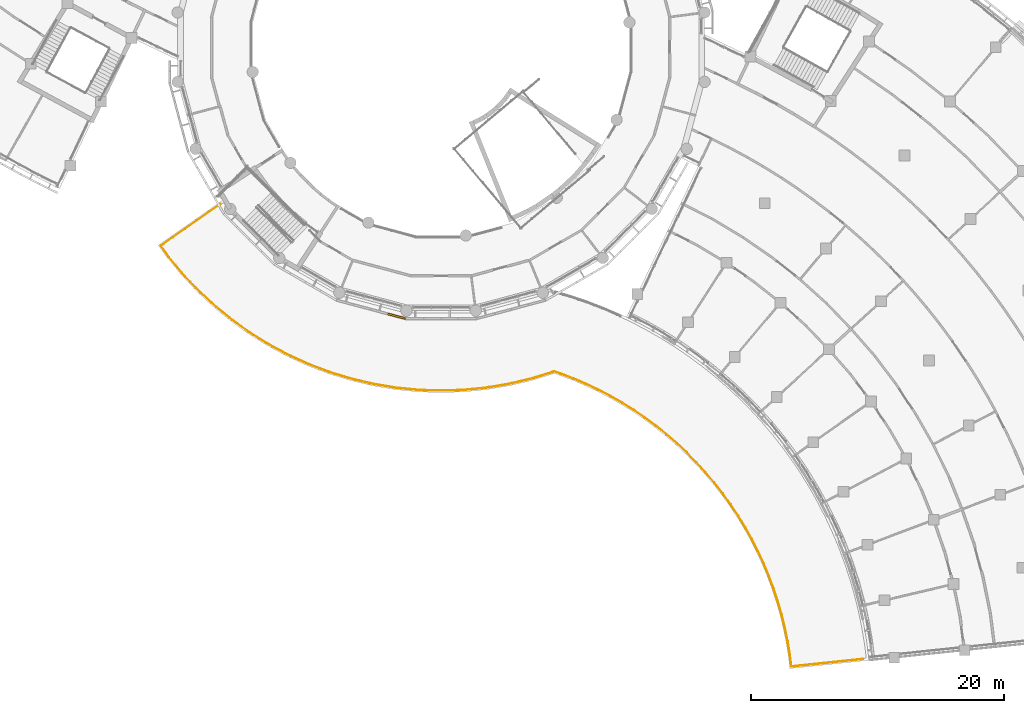
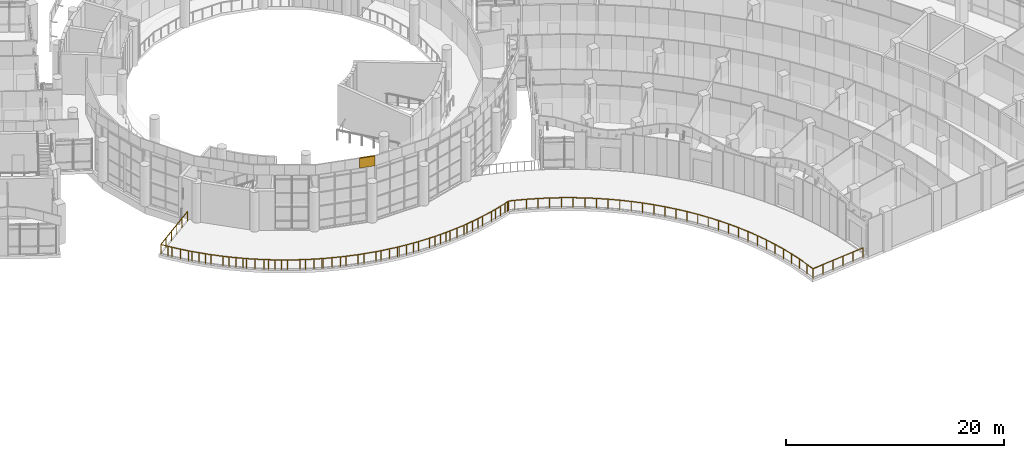
# One storey, part 114 of 136: 1 covering, 1 railing.
"""IFC4 building model written with IfcOpenShell, lengths in metres."""

from ifc_helpers import new_model, si_unit, direction, frame, origin, origin_2d, place, context, subcontext, project, spatial, polyline, circle, outline, extrude, material, layer, layer_set, type_object, element, save


model = new_model("IFC4")

# Units and contexts
model_context = context("Model", 3, precision=1e-05, world=origin(), true_north=direction((0.0, 1.0)))
body_context = subcontext(model_context, "Body", "Model", "MODEL_VIEW")
ifc_project = project(units=[si_unit("LENGTHUNIT", "METRE"), si_unit("AREAUNIT", "SQUARE_METRE"), si_unit("VOLUMEUNIT", "CUBIC_METRE"), si_unit("PLANEANGLEUNIT", "RADIAN"), si_unit("MASSUNIT", "GRAM", prefix="KILO")], contexts=[model_context])

# Site, building, storey
site_placement = place(None, origin())
site = spatial("IfcSite", under=ifc_project, at=site_placement, CompositionType="ELEMENT")
building_placement = place(site_placement, origin())
building = spatial("IfcBuilding", under=site, at=building_placement, Name="Bougainvillea Quay General Hospital", CompositionType="ELEMENT")
storey_placement = place(building_placement, frame((0.0, 0.0, 5.39990234375)))
storey = spatial("IfcBuildingStorey", under=building, at=storey_placement, Name="L01", CompositionType="ELEMENT", Elevation=5.39990234375)

# Covering
ifc_material_1 = material(Name="Powder-coated aluminium fascia, white", Category="aluminium")
ifc_layer = layer(ifc_material_1, 0.14990234375)
ifc_layer_set = layer_set([ifc_layer], Name="Powder-coated aluminium fascia, white")
covering_type = type_object("IfcCoveringType", Name="Aluminium fascia band white 150x1100", PredefinedType="CLADDING", material=ifc_layer_set)
covering_placement = place(storey_placement, frame((104.992919921875, 53.00341796875, 6.650146484375), z_axis=(0.0, 0.0, 1.0), x_axis=(0.965902723626, -0.258905250026, 0.0)))
element("IfcCovering", 1, at=covering_placement, inside=storey, type_object=covering_type, Name="Fascia band white e0 22", PredefinedType="CLADDING", context=body_context, shape_type="SweptSolid", body=[
    extrude(outline(polyline([(0.0, 0.0), (1.4427484812010494, 1.1102230246251565e-16), (1.4626936974182987, -0.14984782527068197), (-1.1650339643856644e-05, -0.14988922115835274), (0.0, 0.0)])), origin(), (0.0, 0.0, 1.0), 1.10009765625),
])

# Railing
ifc_material_2 = material(Name="Stainless steel guard, brushed grade 316", Category="steel")
railing_type = type_object("IfcRailingType", Name="Stainless steel guard 1100", PredefinedType="GUARDRAIL", material=ifc_material_2)
railing_placement = place(storey_placement, frame((142.548095703125, 25.656005859375, 0.0)))
element("IfcRailing", 2, at=railing_placement, inside=storey, type_object=railing_type, Name="Guard G01", PredefinedType="GUARDRAIL", context=body_context, shape_type="SweptSolid", body=[
    extrude(circle(Radius=0.02392578125, at=origin_2d()), frame((0.0, 0.0, 1.076171875), z_axis=(-0.994520227631, -0.104544329514, 0.0), x_axis=(0.104544329514, -0.994520227631, 0.0)), (0.0, 0.0, 1.0), 5.700439453125),
    extrude(circle(Radius=0.02392578125, at=origin_2d()), frame((-5.669189453125, -0.595947265625, 1.076171875), z_axis=(-0.12442488633, 0.992229029842, 0.0), x_axis=(-0.992229029842, -0.12442488633, 0.0)), (0.0, 0.0, 1.0), 0.924072265625),
    extrude(circle(Radius=0.02392578125, at=origin_2d()), frame((-5.7841796875, 0.321044921875, 1.076171875), z_axis=(-0.160933083032, 0.986965319951, 0.0), x_axis=(-0.986965319951, -0.160933083032, 0.0)), (0.0, 0.0, 1.0), 1.073974609375),
    extrude(circle(Radius=0.02392578125, at=origin_2d()), frame((-5.95703125, 1.381103515625, 1.076171875), z_axis=(-0.200133585413, 0.979768619619, 0.0), x_axis=(-0.979768619619, -0.200133585413, 0.0)), (0.0, 0.0, 1.0), 1.07470703125),
    extrude(circle(Radius=0.02392578125, at=origin_2d()), frame((-6.172119140625, 2.43408203125, 1.076171875), z_axis=(-0.237186297436, 0.97146418375, 0.0), x_axis=(-0.97146418375, -0.237186297436, 0.0)), (0.0, 0.0, 1.0), 1.07470703125),
    extrude(circle(Radius=0.02392578125, at=origin_2d()), frame((-6.427001953125, 3.47802734375, 1.076171875), z_axis=(-0.275591226761, 0.961274922034, 0.0), x_axis=(-0.961274922034, -0.275591226761, 0.0)), (0.0, 0.0, 1.0), 1.074462890625),
    extrude(circle(Radius=0.02392578125, at=origin_2d()), frame((-6.72314453125, 4.510986328125, 1.076171875), z_axis=(-0.31090469074, 0.950441094059, 0.0), x_axis=(-0.950441094059, -0.31090469074, 0.0)), (0.0, 0.0, 1.0), 1.07421875),
    extrude(circle(Radius=0.02392578125, at=origin_2d()), frame((-7.05712890625, 5.531982421875, 1.076171875), z_axis=(-0.348158000026, 0.937435868216, 0.0), x_axis=(-0.937435868216, -0.348158000026, 0.0)), (0.0, 0.0, 1.0), 1.07421875),
    extrude(circle(Radius=0.02392578125, at=origin_2d()), frame((-7.43115234375, 6.5390625, 1.076171875), z_axis=(-0.384244257635, 0.923231471774, 0.0), x_axis=(-0.923231471774, -0.384244257635, 0.0)), (0.0, 0.0, 1.0), 1.074462890625),
    extrude(circle(Radius=0.02392578125, at=origin_2d()), frame((-7.843994140625, 7.531005859375, 1.076171875), z_axis=(-0.418827710115, 0.908065718569, 0.0), x_axis=(-0.908065718569, -0.418827710115, 0.0)), (0.0, 0.0, 1.0), 1.074951171875),
    extrude(circle(Radius=0.02392578125, at=origin_2d()), frame((-8.294189453125, 8.507080078125, 1.076171875), z_axis=(-0.454109627425, 0.890945815569, 0.0), x_axis=(-0.890945815569, -0.454109627425, 0.0)), (0.0, 0.0, 1.0), 1.07421875),
    extrude(circle(Radius=0.02392578125, at=origin_2d()), frame((-8.781982421875, 9.464111328125, 1.076171875), z_axis=(-0.487821357665, 0.872943482137, 0.0), x_axis=(-0.872943482137, -0.487821357665, 0.0)), (0.0, 0.0, 1.0), 1.074462890625),
    extrude(circle(Radius=0.02392578125, at=origin_2d()), frame((-9.30615234375, 10.402099609375, 1.076171875), z_axis=(-0.521229415532, 0.853416601891, 0.0), x_axis=(-0.853416601891, -0.521229415532, 0.0)), (0.0, 0.0, 1.0), 1.074462890625),
    extrude(circle(Radius=0.02392578125, at=origin_2d()), frame((-9.8662109375, 11.319091796875, 1.076171875), z_axis=(-0.554752640777, 0.832015328916, 0.0), x_axis=(-0.832015328916, -0.554752640777, 0.0)), (0.0, 0.0, 1.0), 1.07421875),
    extrude(circle(Radius=0.02392578125, at=origin_2d()), frame((-10.462158203125, 12.212890625, 1.076171875), z_axis=(-0.58475982523, 0.811206476057, 0.0), x_axis=(-0.811206476057, -0.58475982523, 0.0)), (0.0, 0.0, 1.0), 1.07373046875),
    extrude(circle(Radius=0.02392578125, at=origin_2d()), frame((-11.090087890625, 13.083984375, 1.076171875), z_axis=(-0.616908282278, 0.787035050844, 0.0), x_axis=(-0.787035050844, -0.616908282278, 0.0)), (0.0, 0.0, 1.0), 1.074951171875),
    extrude(circle(Radius=0.02392578125, at=origin_2d()), frame((-11.753173828125, 13.929931640625, 1.076171875), z_axis=(-0.645911676563, 0.76341214693, 0.0), x_axis=(-0.76341214693, -0.645911676563, 0.0)), (0.0, 0.0, 1.0), 1.07421875),
    extrude(circle(Radius=0.02392578125, at=origin_2d()), frame((-12.447021484375, 14.75, 1.076171875), z_axis=(-0.6752714886, 0.737569262296, 0.0), x_axis=(-0.737569262296, -0.6752714886, 0.0)), (0.0, 0.0, 1.0), 1.07373046875),
    extrude(circle(Radius=0.02392578125, at=origin_2d()), frame((-13.172119140625, 15.5419921875, 1.076171875), z_axis=(-0.702894196386, 0.711294417725, 0.0), x_axis=(-0.711294417725, -0.702894196386, 0.0)), (0.0, 0.0, 1.0), 1.075439453125),
    extrude(circle(Radius=0.02392578125, at=origin_2d()), frame((-13.927978515625, 16.306884765625, 1.076171875), z_axis=(-0.730896538171, 0.682488278646, 0.0), x_axis=(-0.682488278646, -0.730896538171, 0.0)), (0.0, 0.0, 1.0), 1.07421875),
    extrude(circle(Radius=0.02392578125, at=origin_2d()), frame((-14.713134765625, 17.0400390625, 1.076171875), z_axis=(-0.755636607362, 0.654991082088, 0.0), x_axis=(-0.654991082088, -0.755636607362, 0.0)), (0.0, 0.0, 1.0), 1.07470703125),
    extrude(circle(Radius=0.02392578125, at=origin_2d()), frame((-15.525146484375, 17.743896484375, 1.076171875), z_axis=(-0.780047686707, 0.625720070369, 0.0), x_axis=(-0.625720070369, -0.780047686707, 0.0)), (0.0, 0.0, 1.0), 1.07421875),
    extrude(circle(Radius=0.02392578125, at=origin_2d()), frame((-16.363037109375, 18.416015625, 1.076171875), z_axis=(-0.804478387036, 0.593981922951, 0.0), x_axis=(-0.593981922951, -0.804478387036, 0.0)), (0.0, 0.0, 1.0), 1.073974609375),
    extrude(circle(Radius=0.02392578125, at=origin_2d()), frame((-17.22705078125, 19.053955078125, 1.076171875), z_axis=(-0.826352130863, 0.563153758594, 0.0), x_axis=(-0.563153758594, -0.826352130863, 0.0)), (0.0, 0.0, 1.0), 1.075927734375),
    extrude(circle(Radius=0.02392578125, at=origin_2d()), frame((-18.1162109375, 19.659912109375, 1.076171875), z_axis=(-0.847422983288, 0.530918343434, 0.0), x_axis=(-0.530918343434, -0.847422983288, 0.0)), (0.0, 0.0, 1.0), 1.07373046875),
    extrude(circle(Radius=0.02392578125, at=origin_2d()), frame((-19.026123046875, 20.22998046875, 1.076171875), z_axis=(-0.867669023689, 0.497142298875, 0.0), x_axis=(-0.497142298875, -0.867669023689, 0.0)), (0.0, 0.0, 1.0), 1.073974609375),
    extrude(circle(Radius=0.02392578125, at=origin_2d()), frame((-19.9580078125, 20.763916015625, 1.076171875), z_axis=(-0.886098212809, 0.4634975267, 0.0), x_axis=(-0.4634975267, -0.886098212809, 0.0)), (0.0, 0.0, 1.0), 1.074462890625),
    extrude(circle(Radius=0.02392578125, at=origin_2d()), frame((-20.91015625, 21.261962890625, 1.076171875), z_axis=(-0.902852117655, 0.429951222402, 0.0), x_axis=(-0.429951222402, -0.902852117655, 0.0)), (0.0, 0.0, 1.0), 1.07421875),
    extrude(circle(Radius=0.02392578125, at=origin_2d()), frame((-21.880126953125, 21.723876953125, 1.076171875), z_axis=(-0.91926247878, 0.393645138554, 0.0), x_axis=(-0.393645138554, -0.91926247878, 0.0)), (0.0, 0.0, 1.0), 1.07470703125),
    extrude(circle(Radius=0.02392578125, at=origin_2d()), frame((-22.8681640625, 22.14697265625, 1.076171875), z_axis=(-0.933573846179, 0.358385091389, 0.0), x_axis=(-0.358385091389, -0.933573846179, 0.0)), (0.0, 0.0, 1.0), 1.07421875),
    extrude(circle(Radius=0.02392578125, at=origin_2d()), frame((-23.87109375, 22.531982421875, 1.076171875), z_axis=(-0.946688931646, 0.322149137357, 0.0), x_axis=(-0.322149137357, -0.946688931646, 0.0)), (0.0, 0.0, 1.0), 0.568359375),
    extrude(circle(Radius=0.02392578125, at=origin_2d()), frame((-24.4091796875, 22.715087890625, 1.076171875), z_axis=(-0.935909795907, -0.352239767666, 0.0), x_axis=(0.352239767666, -0.935909795907, 0.0)), (0.0, 0.0, 1.0), 0.167724609375),
    extrude(circle(Radius=0.02392578125, at=origin_2d()), frame((-24.566162109375, 22.656005859375, 1.076171875), z_axis=(-0.95297539304, -0.303047686446, 0.0), x_axis=(0.303047686446, -0.95297539304, 0.0)), (0.0, 0.0, 1.0), 0.322998046875),
    extrude(circle(Radius=0.02392578125, at=origin_2d()), frame((-24.8740234375, 22.55810546875, 1.076171875), z_axis=(-0.956902907315, -0.290408033588, 0.0), x_axis=(0.290408033588, -0.956902907315, 0.0)), (0.0, 0.0, 1.0), 1.30224609375),
    extrude(circle(Radius=0.02392578125, at=origin_2d()), frame((-26.1201171875, 22.179931640625, 1.076171875), z_axis=(-0.96812402606, -0.250471296092, 0.0), x_axis=(0.250471296092, -0.96812402606, 0.0)), (0.0, 0.0, 1.0), 0.53515625),
    extrude(circle(Radius=0.02392578125, at=origin_2d()), frame((-26.63818359375, 22.0458984375, 1.076171875), z_axis=(-0.973903473343, -0.226962606196, 0.0), x_axis=(0.226962606196, -0.973903473343, 0.0)), (0.0, 0.0, 1.0), 1.12744140625),
    extrude(circle(Radius=0.02392578125, at=origin_2d()), frame((-27.736083984375, 21.7900390625, 1.076171875), z_axis=(-0.979157712034, -0.203101390849, 0.0), x_axis=(0.203101390849, -0.979157712034, 0.0)), (0.0, 0.0, 1.0), 0.537353515625),
    extrude(circle(Radius=0.02392578125, at=origin_2d()), frame((-28.26220703125, 21.680908203125, 1.076171875), z_axis=(-0.986668712024, -0.162741674787, 0.0), x_axis=(0.162741674787, -0.986668712024, 0.0)), (0.0, 0.0, 1.0), 1.2900390625),
    extrude(circle(Radius=0.02392578125, at=origin_2d()), frame((-29.53515625, 21.470947265625, 1.076171875), z_axis=(-0.988396889705, -0.15189334555, 0.0), x_axis=(0.15189334555, -0.988396889705, 0.0)), (0.0, 0.0, 1.0), 0.3359375),
    extrude(circle(Radius=0.02392578125, at=origin_2d()), frame((-29.8671875, 21.419921875, 1.076171875), z_axis=(-0.995209228549, -0.097768049024, 0.0), x_axis=(0.097768049024, -0.995209228549, 0.0)), (0.0, 0.0, 1.0), 1.61572265625),
    extrude(circle(Radius=0.02392578125, at=origin_2d()), frame((-31.47509765625, 21.261962890625, 1.076171875), z_axis=(-0.998854899186, -0.047842349143, 0.0), x_axis=(0.047842349143, -0.998854899186, 0.0)), (0.0, 0.0, 1.0), 0.41845703125),
    extrude(circle(Radius=0.02392578125, at=origin_2d()), frame((-31.89306640625, 21.241943359375, 1.076171875), z_axis=(-0.999454695844, -0.033019856994, 0.0), x_axis=(0.033019856994, -0.999454695844, 0.0)), (0.0, 0.0, 1.0), 1.212646484375),
    extrude(circle(Radius=0.02392578125, at=origin_2d()), frame((-33.10498046875, 21.201904296875, 1.076171875), z_axis=(-0.999991935711, 0.00401603187, 0.0), x_axis=(-0.00401603187, -0.999991935711, 0.0)), (0.0, 0.0, 1.0), 0.547119140625),
    extrude(circle(Radius=0.02392578125, at=origin_2d()), frame((-33.652099609375, 21.2041015625, 1.076171875), z_axis=(-0.999471121245, 0.032518883712, 0.0), x_axis=(-0.032518883712, -0.999471121245, 0.0)), (0.0, 0.0, 1.0), 1.133544921875),
    extrude(circle(Radius=0.02392578125, at=origin_2d()), frame((-34.78515625, 21.240966796875, 1.076171875), z_axis=(-0.998417902165, 0.0562289306, 0.0), x_axis=(-0.0562289306, -0.998417902165, 0.0)), (0.0, 0.0, 1.0), 0.5166015625),
    extrude(circle(Radius=0.02392578125, at=origin_2d()), frame((-35.301025390625, 21.27001953125, 1.076171875), z_axis=(-0.995187726427, 0.097986678528, 0.0), x_axis=(-0.097986678528, -0.995187726427, 0.0)), (0.0, 0.0, 1.0), 1.4501953125),
    extrude(circle(Radius=0.02392578125, at=origin_2d()), frame((-36.744140625, 21.412109375, 1.076171875), z_axis=(-0.994606200482, 0.10372321805, 0.0), x_axis=(-0.10372321805, -0.994606200482, 0.0)), (0.0, 0.0, 1.0), 0.171875),
    extrude(circle(Radius=0.02392578125, at=origin_2d()), frame((-36.9150390625, 21.429931640625, 1.076171875), z_axis=(-0.986673954796, 0.162709885769, 0.0), x_axis=(-0.162709885769, -0.986673954796, 0.0)), (0.0, 0.0, 1.0), 1.617431640625),
    extrude(circle(Radius=0.02392578125, at=origin_2d()), frame((-38.510986328125, 21.693115234375, 1.076171875), z_axis=(-0.977719719151, 0.209914627366, 0.0), x_axis=(-0.209914627366, -0.977719719151, 0.0)), (0.0, 0.0, 1.0), 0.4755859375),
    extrude(circle(Radius=0.02392578125, at=origin_2d()), frame((-38.97607421875, 21.79296875, 1.076171875), z_axis=(-0.97369709244, 0.227846378451, 0.0), x_axis=(-0.227846378451, -0.97369709244, 0.0)), (0.0, 0.0, 1.0), 1.16357421875),
    extrude(circle(Radius=0.02392578125, at=origin_2d()), frame((-40.109130859375, 22.05810546875, 1.076171875), z_axis=(-0.966359730249, 0.257194229626, 0.0), x_axis=(-0.257194229626, -0.966359730249, 0.0)), (0.0, 0.0, 1.0), 0.551513671875),
    extrude(circle(Radius=0.02392578125, at=origin_2d()), frame((-40.64208984375, 22.199951171875, 1.076171875), z_axis=(-0.956832337169, 0.290640462681, 0.0), x_axis=(-0.290640462681, -0.956832337169, 0.0)), (0.0, 0.0, 1.0), 1.15576171875),
    extrude(circle(Radius=0.02392578125, at=origin_2d()), frame((-41.748046875, 22.535888671875, 1.076171875), z_axis=(-0.95063279937, 0.310318031641, 0.0), x_axis=(-0.310318031641, -0.95063279937, 0.0)), (0.0, 0.0, 1.0), 0.48388671875),
    extrude(circle(Radius=0.02392578125, at=origin_2d()), frame((-42.2080078125, 22.68603515625, 1.076171875), z_axis=(-0.936192719434, 0.351487115095, 0.0), x_axis=(-0.351487115095, -0.936192719434, 0.0)), (0.0, 0.0, 1.0), 1.618408203125),
    extrude(circle(Radius=0.02392578125, at=origin_2d()), frame((-43.72314453125, 23.2548828125, 1.076171875), z_axis=(-0.9143807239, 0.404855396111, 0.0), x_axis=(-0.404855396111, -0.9143807239, 0.0)), (0.0, 0.0, 1.0), 0.12353515625),
    extrude(circle(Radius=0.02392578125, at=origin_2d()), frame((-43.836181640625, 23.304931640625, 1.076171875), z_axis=(-0.910690258732, 0.41308988447, 0.0), x_axis=(-0.41308988447, -0.910690258732, 0.0)), (0.0, 0.0, 1.0), 1.496337890625),
    extrude(circle(Radius=0.02392578125, at=origin_2d()), frame((-45.198974609375, 23.923095703125, 1.076171875), z_axis=(-0.892511981629, 0.451023683024, 0.0), x_axis=(-0.451023683024, -0.892511981629, 0.0)), (0.0, 0.0, 1.0), 0.511962890625),
    extrude(circle(Radius=0.02392578125, at=origin_2d()), frame((-45.656005859375, 24.154052734375, 1.076171875), z_axis=(-0.88184696713, 0.471535710804, 0.0), x_axis=(-0.471535710804, -0.88184696713, 0.0)), (0.0, 0.0, 1.0), 1.136474609375),
    extrude(circle(Radius=0.02392578125, at=origin_2d()), frame((-46.658203125, 24.68994140625, 1.076171875), z_axis=(-0.86786003939, 0.496808768069, 0.0), x_axis=(-0.496808768069, -0.86786003939, 0.0)), (0.0, 0.0, 1.0), 0.54931640625),
    extrude(circle(Radius=0.02392578125, at=origin_2d()), frame((-47.135009765625, 24.962890625, 1.076171875), z_axis=(-0.849070797173, 0.528279075289, 0.0), x_axis=(-0.528279075289, -0.849070797173, 0.0)), (0.0, 0.0, 1.0), 1.2001953125),
    extrude(circle(Radius=0.02392578125, at=origin_2d()), frame((-48.154052734375, 25.596923828125, 1.076171875), z_axis=(-0.841050158091, 0.540957143936, 0.0), x_axis=(-0.540957143936, -0.841050158091, 0.0)), (0.0, 0.0, 1.0), 0.432861328125),
    extrude(circle(Radius=0.02392578125, at=origin_2d()), frame((-48.51806640625, 25.8310546875, 1.076171875), z_axis=(-0.812833825094, 0.582495641858, 0.0), x_axis=(-0.582495641858, -0.812833825094, 0.0)), (0.0, 0.0, 1.0), 1.615234375),
    extrude(circle(Radius=0.02392578125, at=origin_2d()), frame((-49.8310546875, 26.77197265625, 1.076171875), z_axis=(-0.778487330116, 0.627660319639, 0.0), x_axis=(-0.627660319639, -0.778487330116, 0.0)), (0.0, 0.0, 1.0), 0.310791015625),
    extrude(circle(Radius=0.02392578125, at=origin_2d()), frame((-50.072998046875, 26.967041015625, 1.076171875), z_axis=(-0.77334431347, 0.633986256021, 0.0), x_axis=(-0.633986256021, -0.77334431347, 0.0)), (0.0, 0.0, 1.0), 1.31396484375),
    extrude(circle(Radius=0.02392578125, at=origin_2d()), frame((-51.089111328125, 27.800048828125, 1.076171875), z_axis=(-0.7461482811, 0.665779800394, 0.0), x_axis=(-0.665779800394, -0.7461482811, 0.0)), (0.0, 0.0, 1.0), 0.53466796875),
    extrude(circle(Radius=0.02392578125, at=origin_2d()), frame((-51.488037109375, 28.156005859375, 1.076171875), z_axis=(-0.730219120142, 0.683213024304, 0.0), x_axis=(-0.683213024304, -0.730219120142, 0.0)), (0.0, 0.0, 1.0), 1.126953125),
    extrude(circle(Radius=0.02392578125, at=origin_2d()), frame((-52.31103515625, 28.926025390625, 1.076171875), z_axis=(-0.711842466104, 0.70233916554, 0.0), x_axis=(-0.70233916554, -0.711842466104, 0.0)), (0.0, 0.0, 1.0), 0.53955078125),
    extrude(circle(Radius=0.02392578125, at=origin_2d()), frame((-52.695068359375, 29.304931640625, 1.076171875), z_axis=(-0.683623465275, 0.729834883878, 0.0), x_axis=(-0.729834883878, -0.683623465275, 0.0)), (0.0, 0.0, 1.0), 1.278564453125),
    extrude(circle(Radius=0.02392578125, at=origin_2d()), frame((-53.569091796875, 30.238037109375, 1.076171875), z_axis=(-0.674703434527, 0.738088934639, 0.0), x_axis=(-0.738088934639, -0.674703434527, 0.0)), (0.0, 0.0, 1.0), 0.3466796875),
    extrude(circle(Radius=0.02392578125, at=origin_2d()), frame((-53.802978515625, 30.493896484375, 1.076171875), z_axis=(-0.634430056487, 0.772980273633, 0.0), x_axis=(-0.772980273633, -0.634430056487, 0.0)), (0.0, 0.0, 1.0), 1.615966796875),
    extrude(circle(Radius=0.02392578125, at=origin_2d()), frame((-54.828125, 31.742919921875, 1.076171875), z_axis=(-0.594674425437, 0.80396662103, 0.0), x_axis=(-0.80396662103, -0.594674425437, 0.0)), (0.0, 0.0, 1.0), 0.411865234375),
    extrude(circle(Radius=0.02392578125, at=origin_2d()), frame((-55.072998046875, 32.073974609375, 1.076171875), z_axis=(-0.581753587572, 0.813365086137, 0.0), x_axis=(-0.813365086137, -0.581753587572, 0.0)), (0.0, 0.0, 1.0), 0.716796875),
    extrude(circle(Radius=0.02392578125, at=origin_2d()), frame((-55.489990234375, 32.656982421875, 1.076171875), z_axis=(0.819126562439, 0.573612826484, 0.0), x_axis=(-0.573612826484, 0.819126562439, 0.0)), (0.0, 0.0, 1.0), 5.7705078125),
    extrude(circle(Radius=0.02099609375, at=origin_2d()), origin(), (0.0, 0.0, 1.0), 1.052001953125),
    extrude(circle(Radius=0.02099609375, at=origin_2d()), frame((-1.1337890625, -0.119140625, 0.0)), (0.0, 0.0, 1.0), 1.052001953125),
    extrude(circle(Radius=0.02099609375, at=origin_2d()), frame((-2.267578125, -0.23828125, 0.0)), (0.0, 0.0, 1.0), 1.052001953125),
    extrude(circle(Radius=0.02099609375, at=origin_2d()), frame((-3.401611328125, -0.357666015625, 0.0)), (0.0, 0.0, 1.0), 1.052001953125),
    extrude(circle(Radius=0.02099609375, at=origin_2d()), frame((-4.535400390625, -0.476806640625, 0.0)), (0.0, 0.0, 1.0), 1.052001953125),
    extrude(circle(Radius=0.02099609375, at=origin_2d()), frame((-5.669189453125, -0.595947265625, 0.0)), (0.0, 0.0, 1.0), 1.052001953125),
    extrude(circle(Radius=0.02099609375, at=origin_2d()), frame((-5.7841796875, 0.321044921875, 0.0)), (0.0, 0.0, 1.0), 1.052001953125),
    extrude(circle(Radius=0.02099609375, at=origin_2d()), frame((-5.95703125, 1.381103515625, 0.0)), (0.0, 0.0, 1.0), 1.052001953125),
    extrude(circle(Radius=0.02099609375, at=origin_2d()), frame((-6.172119140625, 2.43408203125, 0.0)), (0.0, 0.0, 1.0), 1.052001953125),
    extrude(circle(Radius=0.02099609375, at=origin_2d()), frame((-6.427001953125, 3.47802734375, 0.0)), (0.0, 0.0, 1.0), 1.052001953125),
    extrude(circle(Radius=0.02099609375, at=origin_2d()), frame((-6.72314453125, 4.510986328125, 0.0)), (0.0, 0.0, 1.0), 1.052001953125),
    extrude(circle(Radius=0.02099609375, at=origin_2d()), frame((-7.05712890625, 5.531982421875, 0.0)), (0.0, 0.0, 1.0), 1.052001953125),
    extrude(circle(Radius=0.02099609375, at=origin_2d()), frame((-7.43115234375, 6.5390625, 0.0)), (0.0, 0.0, 1.0), 1.052001953125),
    extrude(circle(Radius=0.02099609375, at=origin_2d()), frame((-7.843994140625, 7.531005859375, 0.0)), (0.0, 0.0, 1.0), 1.052001953125),
    extrude(circle(Radius=0.02099609375, at=origin_2d()), frame((-8.294189453125, 8.507080078125, 0.0)), (0.0, 0.0, 1.0), 1.052001953125),
    extrude(circle(Radius=0.02099609375, at=origin_2d()), frame((-8.781982421875, 9.464111328125, 0.0)), (0.0, 0.0, 1.0), 1.052001953125),
    extrude(circle(Radius=0.02099609375, at=origin_2d()), frame((-9.30615234375, 10.402099609375, 0.0)), (0.0, 0.0, 1.0), 1.052001953125),
    extrude(circle(Radius=0.02099609375, at=origin_2d()), frame((-9.8662109375, 11.319091796875, 0.0)), (0.0, 0.0, 1.0), 1.052001953125),
    extrude(circle(Radius=0.02099609375, at=origin_2d()), frame((-10.462158203125, 12.212890625, 0.0)), (0.0, 0.0, 1.0), 1.052001953125),
    extrude(circle(Radius=0.02099609375, at=origin_2d()), frame((-11.090087890625, 13.083984375, 0.0)), (0.0, 0.0, 1.0), 1.052001953125),
    extrude(circle(Radius=0.02099609375, at=origin_2d()), frame((-11.753173828125, 13.929931640625, 0.0)), (0.0, 0.0, 1.0), 1.052001953125),
    extrude(circle(Radius=0.02099609375, at=origin_2d()), frame((-12.447021484375, 14.75, 0.0)), (0.0, 0.0, 1.0), 1.052001953125),
    extrude(circle(Radius=0.02099609375, at=origin_2d()), frame((-13.172119140625, 15.5419921875, 0.0)), (0.0, 0.0, 1.0), 1.052001953125),
    extrude(circle(Radius=0.02099609375, at=origin_2d()), frame((-13.927978515625, 16.306884765625, 0.0)), (0.0, 0.0, 1.0), 1.052001953125),
    extrude(circle(Radius=0.02099609375, at=origin_2d()), frame((-14.713134765625, 17.0400390625, 0.0)), (0.0, 0.0, 1.0), 1.052001953125),
    extrude(circle(Radius=0.02099609375, at=origin_2d()), frame((-15.525146484375, 17.743896484375, 0.0)), (0.0, 0.0, 1.0), 1.052001953125),
    extrude(circle(Radius=0.02099609375, at=origin_2d()), frame((-16.363037109375, 18.416015625, 0.0)), (0.0, 0.0, 1.0), 1.052001953125),
    extrude(circle(Radius=0.02099609375, at=origin_2d()), frame((-17.22705078125, 19.053955078125, 0.0)), (0.0, 0.0, 1.0), 1.052001953125),
    extrude(circle(Radius=0.02099609375, at=origin_2d()), frame((-18.1162109375, 19.659912109375, 0.0)), (0.0, 0.0, 1.0), 1.052001953125),
    extrude(circle(Radius=0.02099609375, at=origin_2d()), frame((-19.026123046875, 20.22998046875, 0.0)), (0.0, 0.0, 1.0), 1.052001953125),
    extrude(circle(Radius=0.02099609375, at=origin_2d()), frame((-19.9580078125, 20.763916015625, 0.0)), (0.0, 0.0, 1.0), 1.052001953125),
    extrude(circle(Radius=0.02099609375, at=origin_2d()), frame((-20.91015625, 21.261962890625, 0.0)), (0.0, 0.0, 1.0), 1.052001953125),
    extrude(circle(Radius=0.02099609375, at=origin_2d()), frame((-21.880126953125, 21.723876953125, 0.0)), (0.0, 0.0, 1.0), 1.052001953125),
    extrude(circle(Radius=0.02099609375, at=origin_2d()), frame((-22.8681640625, 22.14697265625, 0.0)), (0.0, 0.0, 1.0), 1.052001953125),
    extrude(circle(Radius=0.02099609375, at=origin_2d()), frame((-23.87109375, 22.531982421875, 0.0)), (0.0, 0.0, 1.0), 1.052001953125),
    extrude(circle(Radius=0.02099609375, at=origin_2d()), frame((-24.4091796875, 22.715087890625, 0.0)), (0.0, 0.0, 1.0), 1.052001953125),
    extrude(circle(Radius=0.02099609375, at=origin_2d()), frame((-24.566162109375, 22.656005859375, 0.0)), (0.0, 0.0, 1.0), 1.052001953125),
    extrude(circle(Radius=0.02099609375, at=origin_2d()), frame((-24.8740234375, 22.55810546875, 0.0)), (0.0, 0.0, 1.0), 1.052001953125),
    extrude(circle(Radius=0.02099609375, at=origin_2d()), frame((-25.4970703125, 22.369140625, 0.0)), (0.0, 0.0, 1.0), 1.052001953125),
    extrude(circle(Radius=0.02099609375, at=origin_2d()), frame((-26.1201171875, 22.179931640625, 0.0)), (0.0, 0.0, 1.0), 1.052001953125),
    extrude(circle(Radius=0.02099609375, at=origin_2d()), frame((-26.63818359375, 22.0458984375, 0.0)), (0.0, 0.0, 1.0), 1.052001953125),
    extrude(circle(Radius=0.02099609375, at=origin_2d()), frame((-27.736083984375, 21.7900390625, 0.0)), (0.0, 0.0, 1.0), 1.052001953125),
    extrude(circle(Radius=0.02099609375, at=origin_2d()), frame((-28.26220703125, 21.680908203125, 0.0)), (0.0, 0.0, 1.0), 1.052001953125),
    extrude(circle(Radius=0.02099609375, at=origin_2d()), frame((-28.898681640625, 21.575927734375, 0.0)), (0.0, 0.0, 1.0), 1.052001953125),
    extrude(circle(Radius=0.02099609375, at=origin_2d()), frame((-29.53515625, 21.470947265625, 0.0)), (0.0, 0.0, 1.0), 1.052001953125),
    extrude(circle(Radius=0.02099609375, at=origin_2d()), frame((-29.8671875, 21.419921875, 0.0)), (0.0, 0.0, 1.0), 1.052001953125),
    extrude(circle(Radius=0.02099609375, at=origin_2d()), frame((-30.671142578125, 21.3408203125, 0.0)), (0.0, 0.0, 1.0), 1.052001953125),
    extrude(circle(Radius=0.02099609375, at=origin_2d()), frame((-31.47509765625, 21.261962890625, 0.0)), (0.0, 0.0, 1.0), 1.052001953125),
    extrude(circle(Radius=0.02099609375, at=origin_2d()), frame((-31.89306640625, 21.241943359375, 0.0)), (0.0, 0.0, 1.0), 1.052001953125),
    extrude(circle(Radius=0.02099609375, at=origin_2d()), frame((-32.4990234375, 21.221923828125, 0.0)), (0.0, 0.0, 1.0), 1.052001953125),
    extrude(circle(Radius=0.02099609375, at=origin_2d()), frame((-33.10498046875, 21.201904296875, 0.0)), (0.0, 0.0, 1.0), 1.052001953125),
    extrude(circle(Radius=0.02099609375, at=origin_2d()), frame((-33.652099609375, 21.2041015625, 0.0)), (0.0, 0.0, 1.0), 1.052001953125),
    extrude(circle(Radius=0.02099609375, at=origin_2d()), frame((-34.78515625, 21.240966796875, 0.0)), (0.0, 0.0, 1.0), 1.052001953125),
    extrude(circle(Radius=0.02099609375, at=origin_2d()), frame((-35.301025390625, 21.27001953125, 0.0)), (0.0, 0.0, 1.0), 1.052001953125),
    extrude(circle(Radius=0.02099609375, at=origin_2d()), frame((-36.0224609375, 21.341064453125, 0.0)), (0.0, 0.0, 1.0), 1.052001953125),
    extrude(circle(Radius=0.02099609375, at=origin_2d()), frame((-36.744140625, 21.412109375, 0.0)), (0.0, 0.0, 1.0), 1.052001953125),
    extrude(circle(Radius=0.02099609375, at=origin_2d()), frame((-36.9150390625, 21.429931640625, 0.0)), (0.0, 0.0, 1.0), 1.052001953125),
    extrude(circle(Radius=0.02099609375, at=origin_2d()), frame((-37.712890625, 21.5615234375, 0.0)), (0.0, 0.0, 1.0), 1.052001953125),
    extrude(circle(Radius=0.02099609375, at=origin_2d()), frame((-38.510986328125, 21.693115234375, 0.0)), (0.0, 0.0, 1.0), 1.052001953125),
    extrude(circle(Radius=0.02099609375, at=origin_2d()), frame((-38.97607421875, 21.79296875, 0.0)), (0.0, 0.0, 1.0), 1.052001953125),
    extrude(circle(Radius=0.02099609375, at=origin_2d()), frame((-40.109130859375, 22.05810546875, 0.0)), (0.0, 0.0, 1.0), 1.052001953125),
    extrude(circle(Radius=0.02099609375, at=origin_2d()), frame((-40.64208984375, 22.199951171875, 0.0)), (0.0, 0.0, 1.0), 1.052001953125),
    extrude(circle(Radius=0.02099609375, at=origin_2d()), frame((-41.748046875, 22.535888671875, 0.0)), (0.0, 0.0, 1.0), 1.052001953125),
    extrude(circle(Radius=0.02099609375, at=origin_2d()), frame((-42.2080078125, 22.68603515625, 0.0)), (0.0, 0.0, 1.0), 1.052001953125),
    extrude(circle(Radius=0.02099609375, at=origin_2d()), frame((-42.965576171875, 22.970458984375, 0.0)), (0.0, 0.0, 1.0), 1.052001953125),
    extrude(circle(Radius=0.02099609375, at=origin_2d()), frame((-43.72314453125, 23.2548828125, 0.0)), (0.0, 0.0, 1.0), 1.052001953125),
    extrude(circle(Radius=0.02099609375, at=origin_2d()), frame((-43.836181640625, 23.304931640625, 0.0)), (0.0, 0.0, 1.0), 1.052001953125),
    extrude(circle(Radius=0.02099609375, at=origin_2d()), frame((-44.517578125, 23.614013671875, 0.0)), (0.0, 0.0, 1.0), 1.052001953125),
    extrude(circle(Radius=0.02099609375, at=origin_2d()), frame((-45.198974609375, 23.923095703125, 0.0)), (0.0, 0.0, 1.0), 1.052001953125),
    extrude(circle(Radius=0.02099609375, at=origin_2d()), frame((-45.656005859375, 24.154052734375, 0.0)), (0.0, 0.0, 1.0), 1.052001953125),
    extrude(circle(Radius=0.02099609375, at=origin_2d()), frame((-46.658203125, 24.68994140625, 0.0)), (0.0, 0.0, 1.0), 1.052001953125),
    extrude(circle(Radius=0.02099609375, at=origin_2d()), frame((-47.135009765625, 24.962890625, 0.0)), (0.0, 0.0, 1.0), 1.052001953125),
    extrude(circle(Radius=0.02099609375, at=origin_2d()), frame((-47.64453125, 25.27978515625, 0.0)), (0.0, 0.0, 1.0), 1.052001953125),
    extrude(circle(Radius=0.02099609375, at=origin_2d()), frame((-48.154052734375, 25.596923828125, 0.0)), (0.0, 0.0, 1.0), 1.052001953125),
    extrude(circle(Radius=0.02099609375, at=origin_2d()), frame((-48.51806640625, 25.8310546875, 0.0)), (0.0, 0.0, 1.0), 1.052001953125),
    extrude(circle(Radius=0.02099609375, at=origin_2d()), frame((-49.174560546875, 26.301513671875, 0.0)), (0.0, 0.0, 1.0), 1.052001953125),
    extrude(circle(Radius=0.02099609375, at=origin_2d()), frame((-49.8310546875, 26.77197265625, 0.0)), (0.0, 0.0, 1.0), 1.052001953125),
    extrude(circle(Radius=0.02099609375, at=origin_2d()), frame((-50.072998046875, 26.967041015625, 0.0)), (0.0, 0.0, 1.0), 1.052001953125),
    extrude(circle(Radius=0.02099609375, at=origin_2d()), frame((-50.5810546875, 27.383544921875, 0.0)), (0.0, 0.0, 1.0), 1.052001953125),
    extrude(circle(Radius=0.02099609375, at=origin_2d()), frame((-51.089111328125, 27.800048828125, 0.0)), (0.0, 0.0, 1.0), 1.052001953125),
    extrude(circle(Radius=0.02099609375, at=origin_2d()), frame((-51.488037109375, 28.156005859375, 0.0)), (0.0, 0.0, 1.0), 1.052001953125),
    extrude(circle(Radius=0.02099609375, at=origin_2d()), frame((-52.31103515625, 28.926025390625, 0.0)), (0.0, 0.0, 1.0), 1.052001953125),
    extrude(circle(Radius=0.02099609375, at=origin_2d()), frame((-52.695068359375, 29.304931640625, 0.0)), (0.0, 0.0, 1.0), 1.052001953125),
    extrude(circle(Radius=0.02099609375, at=origin_2d()), frame((-53.132080078125, 29.771484375, 0.0)), (0.0, 0.0, 1.0), 1.052001953125),
    extrude(circle(Radius=0.02099609375, at=origin_2d()), frame((-53.569091796875, 30.238037109375, 0.0)), (0.0, 0.0, 1.0), 1.052001953125),
    extrude(circle(Radius=0.02099609375, at=origin_2d()), frame((-53.802978515625, 30.493896484375, 0.0)), (0.0, 0.0, 1.0), 1.052001953125),
    extrude(circle(Radius=0.02099609375, at=origin_2d()), frame((-54.3154296875, 31.118408203125, 0.0)), (0.0, 0.0, 1.0), 1.052001953125),
    extrude(circle(Radius=0.02099609375, at=origin_2d()), frame((-54.828125, 31.742919921875, 0.0)), (0.0, 0.0, 1.0), 1.052001953125),
    extrude(circle(Radius=0.02099609375, at=origin_2d()), frame((-55.072998046875, 32.073974609375, 0.0)), (0.0, 0.0, 1.0), 1.052001953125),
    extrude(circle(Radius=0.02099609375, at=origin_2d()), frame((-55.489990234375, 32.656982421875, 0.0)), (0.0, 0.0, 1.0), 1.052001953125),
    extrude(circle(Radius=0.02099609375, at=origin_2d()), frame((-54.544677734375, 33.319091796875, 0.0)), (0.0, 0.0, 1.0), 1.052001953125),
    extrude(circle(Radius=0.02099609375, at=origin_2d()), frame((-53.599365234375, 33.98095703125, 0.0)), (0.0, 0.0, 1.0), 1.052001953125),
    extrude(circle(Radius=0.02099609375, at=origin_2d()), frame((-52.65380859375, 34.64306640625, 0.0)), (0.0, 0.0, 1.0), 1.052001953125),
    extrude(circle(Radius=0.02099609375, at=origin_2d()), frame((-51.70849609375, 35.304931640625, 0.0)), (0.0, 0.0, 1.0), 1.052001953125),
    extrude(circle(Radius=0.02099609375, at=origin_2d()), frame((-50.76318359375, 35.967041015625, 0.0)), (0.0, 0.0, 1.0), 1.052001953125),
])

save(model, "model.ifc")
